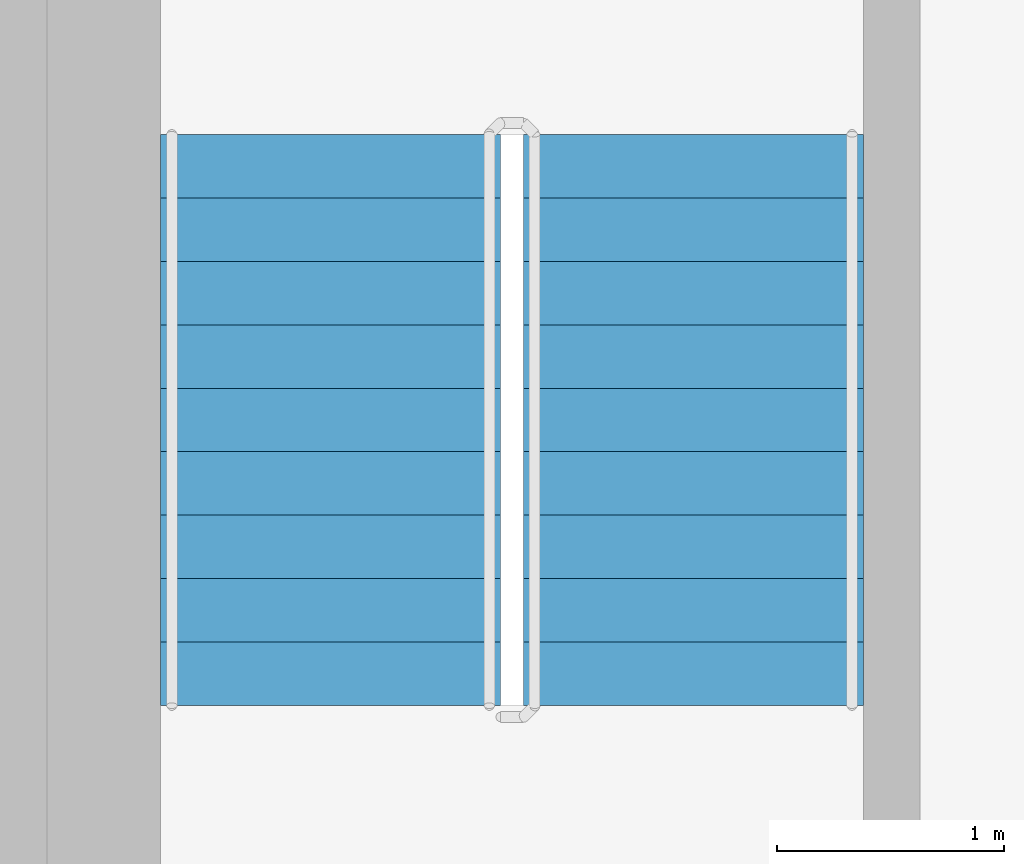
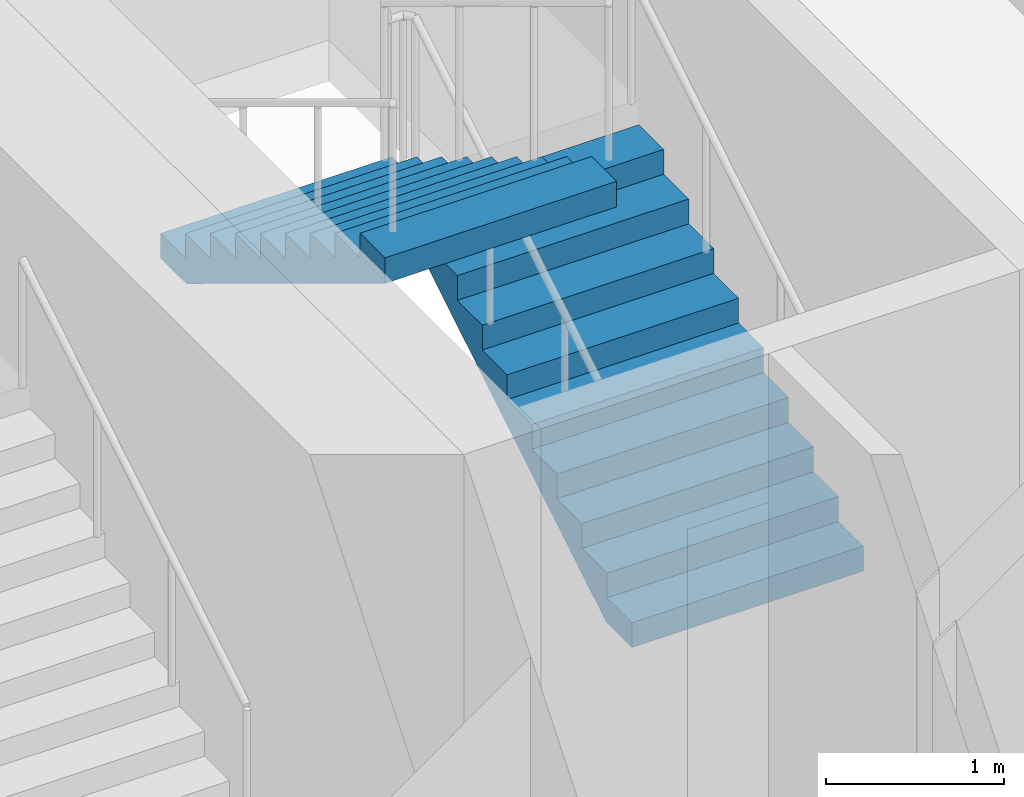
# One storey, part 13 of 21: 2 stair flights, 1 element without a shape of its own.
"""IFC4 building model written with IfcOpenShell, lengths in metres."""

from ifc_helpers import new_model, si_unit, direction, frame, origin, place, context, subcontext, project, spatial, triangles, source, transform, mapped, material, type_object, element, aggregate, save


model = new_model("IFC4")

# Units and contexts
model_context = context("Model", 3, precision=1e-05, world=origin(), true_north=direction((0.0, 1.0)))
body_context = subcontext(model_context, "Body", "Model", "MODEL_VIEW")
ifc_project = project(units=[si_unit("LENGTHUNIT", "METRE"), si_unit("AREAUNIT", "SQUARE_METRE"), si_unit("VOLUMEUNIT", "CUBIC_METRE"), si_unit("PLANEANGLEUNIT", "RADIAN"), si_unit("MASSUNIT", "GRAM", prefix="KILO")], contexts=[model_context])

# Site, building, storey
site_placement = place(None, origin())
site = spatial("IfcSite", under=ifc_project, at=site_placement, CompositionType="ELEMENT")
building_placement = place(site_placement, origin())
building = spatial("IfcBuilding", under=site, at=building_placement, Name="Kilnfold Tower and Market Hall", CompositionType="ELEMENT")
storey_placement = place(building_placement, frame((0.0, 0.0, 182.10009765625)))
storey = spatial("IfcBuildingStorey", under=building, at=storey_placement, Name="L43", CompositionType="ELEMENT", Elevation=182.10009765625)

# Stair, stair flights
ifc_material_1 = material(Name="Concrete C40/50", Category="concrete")
stair_type = type_object("IfcStairType", Name="CORE STAIR 1500", PredefinedType="HALF_TURN_STAIR", material=ifc_material_1)
stair_placement = place(storey_placement, origin())
stair = element("IfcStair", 1, at=stair_placement, inside=storey, type_object=stair_type, Name="L43 ST5", PredefinedType="HALF_TURN_STAIR")
ifc_material_2 = material(Name="Concrete C40/50", Category="concrete")
stair_flight_type = type_object("IfcStairFlightType", Name="CORE STAIR FLIGHT 1500", PredefinedType="STRAIGHT", material=ifc_material_2)
shared_shape = source(origin(), body_context, "Body", "Tessellation", [
    triangles([(0.0, 0.75, 0.0), (0.0, 0.65625, 0.0), (0.0, 0.5625, 0.0), (0.0, 0.46875, 0.0), (0.0, 0.375, 0.0), (0.0, 0.28125, 0.0), (0.0, 0.1875, 0.0), (0.0, 0.09375, 0.0), (0.0, 0.0, 0.0), (0.0, -0.09375, 0.0), (0.0, -0.1875, 0.0), (0.0, -0.28125, 0.0), (0.0, -0.375, 0.0), (0.0, -0.46875, 0.0), (0.0, -0.5625, 0.0), (0.0, -0.65625, 0.0), (0.0, -0.75, 0.0), (0.0, 0.75, 0.169921875), (0.0, 0.65625, 0.169921875), (0.0, 0.5625, 0.169921875), (0.0, 0.46875, 0.169921875), (0.0, 0.375, 0.169921875), (0.0, 0.28125, 0.169921875), (0.0, 0.1875, 0.169921875), (0.0, 0.09375, 0.169921875), (0.0, 0.0, 0.169921875), (0.0, -0.09375, 0.169921875), (0.0, -0.1875, 0.169921875), (0.0, -0.28125, 0.169921875), (0.0, -0.375, 0.169921875), (0.0, -0.46875, 0.169921875), (0.0, -0.5625, 0.169921875), (0.0, -0.65625, 0.169921875), (0.0, -0.75, 0.169921875), (0.280029296875, 0.75, 0.169921875), (0.280029296875, 0.65625, 0.169921875), (0.280029296875, 0.5625, 0.169921875), (0.280029296875, 0.46875, 0.169921875), (0.280029296875, 0.375, 0.169921875), (0.280029296875, 0.28125, 0.169921875), (0.280029296875, 0.1875, 0.169921875), (0.280029296875, 0.09375, 0.169921875), (0.280029296875, 0.0, 0.169921875), (0.280029296875, -0.09375, 0.169921875), (0.280029296875, -0.1875, 0.169921875), (0.280029296875, -0.28125, 0.169921875), (0.280029296875, -0.375, 0.169921875), (0.280029296875, -0.46875, 0.169921875), (0.280029296875, -0.5625, 0.169921875), (0.280029296875, -0.65625, 0.169921875), (0.280029296875, -0.75, 0.169921875), (0.280029296875, 0.75, 0.340087890625), (0.280029296875, 0.65625, 0.340087890625), (0.280029296875, 0.5625, 0.340087890625), (0.280029296875, 0.46875, 0.340087890625), (0.280029296875, 0.375, 0.340087890625), (0.280029296875, 0.28125, 0.340087890625), (0.280029296875, 0.1875, 0.340087890625), (0.280029296875, 0.09375, 0.340087890625), (0.280029296875, 0.0, 0.340087890625), (0.280029296875, -0.09375, 0.340087890625), (0.280029296875, -0.1875, 0.340087890625), (0.280029296875, -0.28125, 0.340087890625), (0.280029296875, -0.375, 0.340087890625), (0.280029296875, -0.46875, 0.340087890625), (0.280029296875, -0.5625, 0.340087890625), (0.280029296875, -0.65625, 0.340087890625), (0.280029296875, -0.75, 0.340087890625), (0.56005859375, 0.75, 0.340087890625), (0.56005859375, 0.65625, 0.340087890625), (0.56005859375, 0.5625, 0.340087890625), (0.56005859375, 0.46875, 0.340087890625), (0.56005859375, 0.375, 0.340087890625), (0.56005859375, 0.28125, 0.340087890625), (0.56005859375, 0.1875, 0.340087890625), (0.56005859375, 0.09375, 0.340087890625), (0.56005859375, 0.0, 0.340087890625), (0.56005859375, -0.09375, 0.340087890625), (0.56005859375, -0.1875, 0.340087890625), (0.56005859375, -0.28125, 0.340087890625), (0.56005859375, -0.375, 0.340087890625), (0.56005859375, -0.46875, 0.340087890625), (0.56005859375, -0.5625, 0.340087890625), (0.56005859375, -0.65625, 0.340087890625), (0.56005859375, -0.75, 0.340087890625), (0.56005859375, 0.75, 0.510009765625), (0.56005859375, 0.65625, 0.510009765625), (0.56005859375, 0.5625, 0.510009765625), (0.56005859375, 0.46875, 0.510009765625), (0.56005859375, 0.375, 0.510009765625), (0.56005859375, 0.28125, 0.510009765625), (0.56005859375, 0.1875, 0.510009765625), (0.56005859375, 0.09375, 0.510009765625), (0.56005859375, 0.0, 0.510009765625), (0.56005859375, -0.09375, 0.510009765625), (0.56005859375, -0.1875, 0.510009765625), (0.56005859375, -0.28125, 0.510009765625), (0.56005859375, -0.375, 0.510009765625), (0.56005859375, -0.46875, 0.510009765625), (0.56005859375, -0.5625, 0.510009765625), (0.56005859375, -0.65625, 0.510009765625), (0.56005859375, -0.75, 0.510009765625), (0.840087890625, 0.75, 0.510009765625), (0.840087890625, 0.65625, 0.510009765625), (0.840087890625, 0.5625, 0.510009765625), (0.840087890625, 0.46875, 0.510009765625), (0.840087890625, 0.375, 0.510009765625), (0.840087890625, 0.28125, 0.510009765625), (0.840087890625, 0.1875, 0.510009765625), (0.840087890625, 0.09375, 0.510009765625), (0.840087890625, 0.0, 0.510009765625), (0.840087890625, -0.09375, 0.510009765625), (0.840087890625, -0.1875, 0.510009765625), (0.840087890625, -0.28125, 0.510009765625), (0.840087890625, -0.375, 0.510009765625), (0.840087890625, -0.46875, 0.510009765625), (0.840087890625, -0.5625, 0.510009765625), (0.840087890625, -0.65625, 0.510009765625), (0.840087890625, -0.75, 0.510009765625), (0.840087890625, 0.75, 0.679931640625), (0.840087890625, 0.65625, 0.679931640625), (0.840087890625, 0.5625, 0.679931640625), (0.840087890625, 0.46875, 0.679931640625), (0.840087890625, 0.375, 0.679931640625), (0.840087890625, 0.28125, 0.679931640625), (0.840087890625, 0.1875, 0.679931640625), (0.840087890625, 0.09375, 0.679931640625), (0.840087890625, 0.0, 0.679931640625), (0.840087890625, -0.09375, 0.679931640625), (0.840087890625, -0.1875, 0.679931640625), (0.840087890625, -0.28125, 0.679931640625), (0.840087890625, -0.375, 0.679931640625), (0.840087890625, -0.46875, 0.679931640625), (0.840087890625, -0.5625, 0.679931640625), (0.840087890625, -0.65625, 0.679931640625), (0.840087890625, -0.75, 0.679931640625), (1.1201171875, 0.75, 0.679931640625), (1.1201171875, 0.65625, 0.679931640625), (1.1201171875, 0.5625, 0.679931640625), (1.1201171875, 0.46875, 0.679931640625), (1.1201171875, 0.375, 0.679931640625), (1.1201171875, 0.28125, 0.679931640625), (1.1201171875, 0.1875, 0.679931640625), (1.1201171875, 0.09375, 0.679931640625), (1.1201171875, 0.0, 0.679931640625), (1.1201171875, -0.09375, 0.679931640625), (1.1201171875, -0.1875, 0.679931640625), (1.1201171875, -0.28125, 0.679931640625), (1.1201171875, -0.375, 0.679931640625), (1.1201171875, -0.46875, 0.679931640625), (1.1201171875, -0.5625, 0.679931640625), (1.1201171875, -0.65625, 0.679931640625), (1.1201171875, -0.75, 0.679931640625), (1.1201171875, 0.75, 0.85009765625), (1.1201171875, 0.65625, 0.85009765625), (1.1201171875, 0.5625, 0.85009765625), (1.1201171875, 0.46875, 0.85009765625), (1.1201171875, 0.375, 0.85009765625), (1.1201171875, 0.28125, 0.85009765625), (1.1201171875, 0.1875, 0.85009765625), (1.1201171875, 0.09375, 0.85009765625), (1.1201171875, 0.0, 0.85009765625), (1.1201171875, -0.09375, 0.85009765625), (1.1201171875, -0.1875, 0.85009765625), (1.1201171875, -0.28125, 0.85009765625), (1.1201171875, -0.375, 0.85009765625), (1.1201171875, -0.46875, 0.85009765625), (1.1201171875, -0.5625, 0.85009765625), (1.1201171875, -0.65625, 0.85009765625), (1.1201171875, -0.75, 0.85009765625), (1.39990234375, 0.75, 0.85009765625), (1.39990234375, 0.65625, 0.85009765625), (1.39990234375, 0.5625, 0.85009765625), (1.39990234375, 0.46875, 0.85009765625), (1.39990234375, 0.375, 0.85009765625), (1.39990234375, 0.28125, 0.85009765625), (1.39990234375, 0.1875, 0.85009765625), (1.39990234375, 0.09375, 0.85009765625), (1.39990234375, 0.0, 0.85009765625), (1.39990234375, -0.09375, 0.85009765625), (1.39990234375, -0.1875, 0.85009765625), (1.39990234375, -0.28125, 0.85009765625), (1.39990234375, -0.375, 0.85009765625), (1.39990234375, -0.46875, 0.85009765625), (1.39990234375, -0.5625, 0.85009765625), (1.39990234375, -0.65625, 0.85009765625), (1.39990234375, -0.75, 0.85009765625), (1.39990234375, 0.75, 1.02001953125), (1.39990234375, 0.65625, 1.02001953125), (1.39990234375, 0.5625, 1.02001953125), (1.39990234375, 0.46875, 1.02001953125), (1.39990234375, 0.375, 1.02001953125), (1.39990234375, 0.28125, 1.02001953125), (1.39990234375, 0.1875, 1.02001953125), (1.39990234375, 0.09375, 1.02001953125), (1.39990234375, 0.0, 1.02001953125), (1.39990234375, -0.09375, 1.02001953125), (1.39990234375, -0.1875, 1.02001953125), (1.39990234375, -0.28125, 1.02001953125), (1.39990234375, -0.375, 1.02001953125), (1.39990234375, -0.46875, 1.02001953125), (1.39990234375, -0.5625, 1.02001953125), (1.39990234375, -0.65625, 1.02001953125), (1.39990234375, -0.75, 1.02001953125), (1.679931640625, 0.75, 1.02001953125), (1.679931640625, 0.65625, 1.02001953125), (1.679931640625, 0.5625, 1.02001953125), (1.679931640625, 0.46875, 1.02001953125), (1.679931640625, 0.375, 1.02001953125), (1.679931640625, 0.28125, 1.02001953125), (1.679931640625, 0.1875, 1.02001953125), (1.679931640625, 0.09375, 1.02001953125), (1.679931640625, 0.0, 1.02001953125), (1.679931640625, -0.09375, 1.02001953125), (1.679931640625, -0.1875, 1.02001953125), (1.679931640625, -0.28125, 1.02001953125), (1.679931640625, -0.375, 1.02001953125), (1.679931640625, -0.46875, 1.02001953125), (1.679931640625, -0.5625, 1.02001953125), (1.679931640625, -0.65625, 1.02001953125), (1.679931640625, -0.75, 1.02001953125), (1.679931640625, 0.75, 1.18994140625), (1.679931640625, 0.65625, 1.18994140625), (1.679931640625, 0.5625, 1.18994140625), (1.679931640625, 0.46875, 1.18994140625), (1.679931640625, 0.375, 1.18994140625), (1.679931640625, 0.28125, 1.18994140625), (1.679931640625, 0.1875, 1.18994140625), (1.679931640625, 0.09375, 1.18994140625), (1.679931640625, 0.0, 1.18994140625), (1.679931640625, -0.09375, 1.18994140625), (1.679931640625, -0.1875, 1.18994140625), (1.679931640625, -0.28125, 1.18994140625), (1.679931640625, -0.375, 1.18994140625), (1.679931640625, -0.46875, 1.18994140625), (1.679931640625, -0.5625, 1.18994140625), (1.679931640625, -0.65625, 1.18994140625), (1.679931640625, -0.75, 1.18994140625), (1.9599609375, 0.75, 1.18994140625), (1.9599609375, 0.65625, 1.18994140625), (1.9599609375, 0.5625, 1.18994140625), (1.9599609375, 0.46875, 1.18994140625), (1.9599609375, 0.375, 1.18994140625), (1.9599609375, 0.28125, 1.18994140625), (1.9599609375, 0.1875, 1.18994140625), (1.9599609375, 0.09375, 1.18994140625), (1.9599609375, 0.0, 1.18994140625), (1.9599609375, -0.09375, 1.18994140625), (1.9599609375, -0.1875, 1.18994140625), (1.9599609375, -0.28125, 1.18994140625), (1.9599609375, -0.375, 1.18994140625), (1.9599609375, -0.46875, 1.18994140625), (1.9599609375, -0.5625, 1.18994140625), (1.9599609375, -0.65625, 1.18994140625), (1.9599609375, -0.75, 1.18994140625), (1.9599609375, 0.75, 1.360107421875), (1.9599609375, 0.65625, 1.360107421875), (1.9599609375, 0.5625, 1.360107421875), (1.9599609375, 0.46875, 1.360107421875), (1.9599609375, 0.375, 1.360107421875), (1.9599609375, 0.28125, 1.360107421875), (1.9599609375, 0.1875, 1.360107421875), (1.9599609375, 0.09375, 1.360107421875), (1.9599609375, 0.0, 1.360107421875), (1.9599609375, -0.09375, 1.360107421875), (1.9599609375, -0.1875, 1.360107421875), (1.9599609375, -0.28125, 1.360107421875), (1.9599609375, -0.375, 1.360107421875), (1.9599609375, -0.46875, 1.360107421875), (1.9599609375, -0.5625, 1.360107421875), (1.9599609375, -0.65625, 1.360107421875), (1.9599609375, -0.75, 1.360107421875), (2.239990234375, 0.75, 1.360107421875), (2.239990234375, 0.65625, 1.360107421875), (2.239990234375, 0.5625, 1.360107421875), (2.239990234375, 0.46875, 1.360107421875), (2.239990234375, 0.375, 1.360107421875), (2.239990234375, 0.28125, 1.360107421875), (2.239990234375, 0.1875, 1.360107421875), (2.239990234375, 0.09375, 1.360107421875), (2.239990234375, 0.0, 1.360107421875), (2.239990234375, -0.09375, 1.360107421875), (2.239990234375, -0.1875, 1.360107421875), (2.239990234375, -0.28125, 1.360107421875), (2.239990234375, -0.375, 1.360107421875), (2.239990234375, -0.46875, 1.360107421875), (2.239990234375, -0.5625, 1.360107421875), (2.239990234375, -0.65625, 1.360107421875), (2.239990234375, -0.75, 1.360107421875), (2.239990234375, 0.75, 1.530029296875), (2.239990234375, 0.65625, 1.530029296875), (2.239990234375, 0.5625, 1.530029296875), (2.239990234375, 0.46875, 1.530029296875), (2.239990234375, 0.375, 1.530029296875), (2.239990234375, 0.28125, 1.530029296875), (2.239990234375, 0.1875, 1.530029296875), (2.239990234375, 0.09375, 1.530029296875), (2.239990234375, 0.0, 1.530029296875), (2.239990234375, -0.09375, 1.530029296875), (2.239990234375, -0.1875, 1.530029296875), (2.239990234375, -0.28125, 1.530029296875), (2.239990234375, -0.375, 1.530029296875), (2.239990234375, -0.46875, 1.530029296875), (2.239990234375, -0.5625, 1.530029296875), (2.239990234375, -0.65625, 1.530029296875), (2.239990234375, -0.75, 1.530029296875), (2.52001953125, 0.75, 1.530029296875), (2.52001953125, 0.65625, 1.530029296875), (2.52001953125, 0.5625, 1.530029296875), (2.52001953125, 0.46875, 1.530029296875), (2.52001953125, 0.375, 1.530029296875), (2.52001953125, 0.28125, 1.530029296875), (2.52001953125, 0.1875, 1.530029296875), (2.52001953125, 0.09375, 1.530029296875), (2.52001953125, 0.0, 1.530029296875), (2.52001953125, -0.09375, 1.530029296875), (2.52001953125, -0.1875, 1.530029296875), (2.52001953125, -0.28125, 1.530029296875), (2.52001953125, -0.375, 1.530029296875), (2.52001953125, -0.46875, 1.530029296875), (2.52001953125, -0.5625, 1.530029296875), (2.52001953125, -0.65625, 1.530029296875), (2.52001953125, -0.75, 1.530029296875), (2.52001953125, 0.75, 1.354736328125), (2.52001953125, 0.65625, 1.354736328125), (2.52001953125, 0.5625, 1.354736328125), (2.52001953125, 0.46875, 1.354736328125), (2.52001953125, 0.375, 1.354736328125), (2.52001953125, 0.28125, 1.354736328125), (2.52001953125, 0.1875, 1.354736328125), (2.52001953125, 0.09375, 1.354736328125), (2.52001953125, 0.0, 1.354736328125), (2.52001953125, -0.09375, 1.354736328125), (2.52001953125, -0.1875, 1.354736328125), (2.52001953125, -0.28125, 1.354736328125), (2.52001953125, -0.375, 1.354736328125), (2.52001953125, -0.46875, 1.354736328125), (2.52001953125, -0.5625, 1.354736328125), (2.52001953125, -0.65625, 1.354736328125), (2.52001953125, -0.75, 1.354736328125), (0.288818359375, 0.75, 0.0), (0.288818359375, 0.65625, 0.0), (0.288818359375, 0.5625, 0.0), (0.288818359375, 0.46875, 0.0), (0.288818359375, 0.375, 0.0), (0.288818359375, 0.28125, 0.0), (0.288818359375, 0.1875, 0.0), (0.288818359375, 0.09375, 0.0), (0.288818359375, 0.0, 0.0), (0.288818359375, -0.09375, 0.0), (0.288818359375, -0.1875, 0.0), (0.288818359375, -0.28125, 0.0), (0.288818359375, -0.375, 0.0), (0.288818359375, -0.46875, 0.0), (0.288818359375, -0.5625, 0.0), (0.288818359375, -0.65625, 0.0), (0.288818359375, -0.75, 0.0)], [[1, 324, 341], [17, 357, 340], [324, 290, 307], [340, 323, 306], [324, 273, 290], [340, 306, 289], [324, 256, 273], [340, 289, 272], [324, 239, 256], [340, 272, 255], [239, 205, 222], [255, 238, 221], [324, 205, 239], [340, 255, 221], [205, 171, 188], [221, 204, 187], [324, 171, 205], [340, 221, 187], [171, 137, 154], [187, 170, 153], [324, 137, 171], [340, 187, 153], [137, 103, 120], [153, 136, 119], [324, 103, 137], [340, 153, 119], [103, 69, 86], [119, 102, 85], [324, 69, 103], [340, 119, 85], [69, 35, 52], [85, 68, 51], [324, 35, 69], [340, 85, 51], [1, 35, 324], [17, 340, 51], [35, 1, 18], [51, 34, 17], [1, 19, 18], [1, 2, 19], [2, 20, 19], [2, 3, 20], [3, 21, 20], [3, 4, 21], [4, 22, 21], [4, 5, 22], [5, 23, 22], [5, 6, 23], [6, 24, 23], [6, 7, 24], [7, 25, 24], [7, 8, 25], [8, 26, 25], [8, 9, 26], [9, 27, 26], [9, 10, 27], [10, 28, 27], [10, 11, 28], [11, 29, 28], [11, 12, 29], [12, 30, 29], [12, 13, 30], [13, 31, 30], [13, 14, 31], [14, 32, 31], [14, 15, 32], [15, 33, 32], [15, 16, 33], [16, 34, 33], [16, 17, 34], [18, 36, 35], [18, 19, 36], [19, 37, 36], [19, 20, 37], [20, 38, 37], [20, 21, 38], [21, 39, 38], [21, 22, 39], [22, 40, 39], [22, 23, 40], [23, 41, 40], [23, 24, 41], [24, 42, 41], [24, 25, 42], [25, 43, 42], [25, 26, 43], [26, 44, 43], [26, 27, 44], [27, 45, 44], [27, 28, 45], [28, 46, 45], [28, 29, 46], [29, 47, 46], [29, 30, 47], [30, 48, 47], [30, 31, 48], [31, 49, 48], [31, 32, 49], [32, 50, 49], [32, 33, 50], [33, 51, 50], [33, 34, 51], [35, 53, 52], [35, 36, 53], [36, 54, 53], [36, 37, 54], [37, 55, 54], [37, 38, 55], [38, 56, 55], [38, 39, 56], [39, 57, 56], [39, 40, 57], [40, 58, 57], [40, 41, 58], [41, 59, 58], [41, 42, 59], [42, 60, 59], [42, 43, 60], [43, 61, 60], [43, 44, 61], [44, 62, 61], [44, 45, 62], [45, 63, 62], [45, 46, 63], [46, 64, 63], [46, 47, 64], [47, 65, 64], [47, 48, 65], [48, 66, 65], [48, 49, 66], [49, 67, 66], [49, 50, 67], [50, 68, 67], [50, 51, 68], [52, 70, 69], [52, 53, 70], [53, 71, 70], [53, 54, 71], [54, 72, 71], [54, 55, 72], [55, 73, 72], [55, 56, 73], [56, 74, 73], [56, 57, 74], [57, 75, 74], [57, 58, 75], [58, 76, 75], [58, 59, 76], [59, 77, 76], [59, 60, 77], [60, 78, 77], [60, 61, 78], [61, 79, 78], [61, 62, 79], [62, 80, 79], [62, 63, 80], [63, 81, 80], [63, 64, 81], [64, 82, 81], [64, 65, 82], [65, 83, 82], [65, 66, 83], [66, 84, 83], [66, 67, 84], [67, 85, 84], [67, 68, 85], [69, 87, 86], [69, 70, 87], [70, 88, 87], [70, 71, 88], [71, 89, 88], [71, 72, 89], [72, 90, 89], [72, 73, 90], [73, 91, 90], [73, 74, 91], [74, 92, 91], [74, 75, 92], [75, 93, 92], [75, 76, 93], [76, 94, 93], [76, 77, 94], [77, 95, 94], [77, 78, 95], [78, 96, 95], [78, 79, 96], [79, 97, 96], [79, 80, 97], [80, 98, 97], [80, 81, 98], [81, 99, 98], [81, 82, 99], [82, 100, 99], [82, 83, 100], [83, 101, 100], [83, 84, 101], [84, 102, 101], [84, 85, 102], [86, 104, 103], [86, 87, 104], [87, 105, 104], [87, 88, 105], [88, 106, 105], [88, 89, 106], [89, 107, 106], [89, 90, 107], [90, 108, 107], [90, 91, 108], [91, 109, 108], [91, 92, 109], [92, 110, 109], [92, 93, 110], [93, 111, 110], [93, 94, 111], [94, 112, 111], [94, 95, 112], [95, 113, 112], [95, 96, 113], [96, 114, 113], [96, 97, 114], [97, 115, 114], [97, 98, 115], [98, 116, 115], [98, 99, 116], [99, 117, 116], [99, 100, 117], [100, 118, 117], [100, 101, 118], [101, 119, 118], [101, 102, 119], [103, 121, 120], [103, 104, 121], [104, 122, 121], [104, 105, 122], [105, 123, 122], [105, 106, 123], [106, 124, 123], [106, 107, 124], [107, 125, 124], [107, 108, 125], [108, 126, 125], [108, 109, 126], [109, 127, 126], [109, 110, 127], [110, 128, 127], [110, 111, 128], [111, 129, 128], [111, 112, 129], [112, 130, 129], [112, 113, 130], [113, 131, 130], [113, 114, 131], [114, 132, 131], [114, 115, 132], [115, 133, 132], [115, 116, 133], [116, 134, 133], [116, 117, 134], [117, 135, 134], [117, 118, 135], [118, 136, 135], [118, 119, 136], [120, 138, 137], [120, 121, 138], [121, 139, 138], [121, 122, 139], [122, 140, 139], [122, 123, 140], [123, 141, 140], [123, 124, 141], [124, 142, 141], [124, 125, 142], [125, 143, 142], [125, 126, 143], [126, 144, 143], [126, 127, 144], [127, 145, 144], [127, 128, 145], [128, 146, 145], [128, 129, 146], [129, 147, 146], [129, 130, 147], [130, 148, 147], [130, 131, 148], [131, 149, 148], [131, 132, 149], [132, 150, 149], [132, 133, 150], [133, 151, 150], [133, 134, 151], [134, 152, 151], [134, 135, 152], [135, 153, 152], [135, 136, 153], [137, 155, 154], [137, 138, 155], [138, 156, 155], [138, 139, 156], [139, 157, 156], [139, 140, 157], [140, 158, 157], [140, 141, 158], [141, 159, 158], [141, 142, 159], [142, 160, 159], [142, 143, 160], [143, 161, 160], [143, 144, 161], [144, 162, 161], [144, 145, 162], [145, 163, 162], [145, 146, 163], [146, 164, 163], [146, 147, 164], [147, 165, 164], [147, 148, 165], [148, 166, 165], [148, 149, 166], [149, 167, 166], [149, 150, 167], [150, 168, 167], [150, 151, 168], [151, 169, 168], [151, 152, 169], [152, 170, 169], [152, 153, 170], [154, 172, 171], [154, 155, 172], [155, 173, 172], [155, 156, 173], [156, 174, 173], [156, 157, 174], [157, 175, 174], [157, 158, 175], [158, 176, 175], [158, 159, 176], [159, 177, 176], [159, 160, 177], [160, 178, 177], [160, 161, 178], [161, 179, 178], [161, 162, 179], [162, 180, 179], [162, 163, 180], [163, 181, 180], [163, 164, 181], [164, 182, 181], [164, 165, 182], [165, 183, 182], [165, 166, 183], [166, 184, 183], [166, 167, 184], [167, 185, 184], [167, 168, 185], [168, 186, 185], [168, 169, 186], [169, 187, 186], [169, 170, 187], [171, 189, 188], [171, 172, 189], [172, 190, 189], [172, 173, 190], [173, 191, 190], [173, 174, 191], [174, 192, 191], [174, 175, 192], [175, 193, 192], [175, 176, 193], [176, 194, 193], [176, 177, 194], [177, 195, 194], [177, 178, 195], [178, 196, 195], [178, 179, 196], [179, 197, 196], [179, 180, 197], [180, 198, 197], [180, 181, 198], [181, 199, 198], [181, 182, 199], [182, 200, 199], [182, 183, 200], [183, 201, 200], [183, 184, 201], [184, 202, 201], [184, 185, 202], [185, 203, 202], [185, 186, 203], [186, 204, 203], [186, 187, 204], [188, 206, 205], [188, 189, 206], [189, 207, 206], [189, 190, 207], [190, 208, 207], [190, 191, 208], [191, 209, 208], [191, 192, 209], [192, 210, 209], [192, 193, 210], [193, 211, 210], [193, 194, 211], [194, 212, 211], [194, 195, 212], [195, 213, 212], [195, 196, 213], [196, 214, 213], [196, 197, 214], [197, 215, 214], [197, 198, 215], [198, 216, 215], [198, 199, 216], [199, 217, 216], [199, 200, 217], [200, 218, 217], [200, 201, 218], [201, 219, 218], [201, 202, 219], [202, 220, 219], [202, 203, 220], [203, 221, 220], [203, 204, 221], [205, 223, 222], [205, 206, 223], [206, 224, 223], [206, 207, 224], [207, 225, 224], [207, 208, 225], [208, 226, 225], [208, 209, 226], [209, 227, 226], [209, 210, 227], [210, 228, 227], [210, 211, 228], [211, 229, 228], [211, 212, 229], [212, 230, 229], [212, 213, 230], [213, 231, 230], [213, 214, 231], [214, 232, 231], [214, 215, 232], [215, 233, 232], [215, 216, 233], [216, 234, 233], [216, 217, 234], [217, 235, 234], [217, 218, 235], [218, 236, 235], [218, 219, 236], [219, 237, 236], [219, 220, 237], [220, 238, 237], [220, 221, 238], [222, 240, 239], [222, 223, 240], [223, 241, 240], [223, 224, 241], [224, 242, 241], [224, 225, 242], [225, 243, 242], [225, 226, 243], [226, 244, 243], [226, 227, 244], [227, 245, 244], [227, 228, 245], [228, 246, 245], [228, 229, 246], [229, 247, 246], [229, 230, 247], [230, 248, 247], [230, 231, 248], [231, 249, 248], [231, 232, 249], [232, 250, 249], [232, 233, 250], [233, 251, 250], [233, 234, 251], [234, 252, 251], [234, 235, 252], [235, 253, 252], [235, 236, 253], [236, 254, 253], [236, 237, 254], [237, 255, 254], [237, 238, 255], [239, 257, 256], [239, 240, 257], [240, 258, 257], [240, 241, 258], [241, 259, 258], [241, 242, 259], [242, 260, 259], [242, 243, 260], [243, 261, 260], [243, 244, 261], [244, 262, 261], [244, 245, 262], [245, 263, 262], [245, 246, 263], [246, 264, 263], [246, 247, 264], [247, 265, 264], [247, 248, 265], [248, 266, 265], [248, 249, 266], [249, 267, 266], [249, 250, 267], [250, 268, 267], [250, 251, 268], [251, 269, 268], [251, 252, 269], [252, 270, 269], [252, 253, 270], [253, 271, 270], [253, 254, 271], [254, 272, 271], [254, 255, 272], [256, 274, 273], [256, 257, 274], [257, 275, 274], [257, 258, 275], [258, 276, 275], [258, 259, 276], [259, 277, 276], [259, 260, 277], [260, 278, 277], [260, 261, 278], [261, 279, 278], [261, 262, 279], [262, 280, 279], [262, 263, 280], [263, 281, 280], [263, 264, 281], [264, 282, 281], [264, 265, 282], [265, 283, 282], [265, 266, 283], [266, 284, 283], [266, 267, 284], [267, 285, 284], [267, 268, 285], [268, 286, 285], [268, 269, 286], [269, 287, 286], [269, 270, 287], [270, 288, 287], [270, 271, 288], [271, 289, 288], [271, 272, 289], [273, 291, 290], [273, 274, 291], [274, 292, 291], [274, 275, 292], [275, 293, 292], [275, 276, 293], [276, 294, 293], [276, 277, 294], [277, 295, 294], [277, 278, 295], [278, 296, 295], [278, 279, 296], [279, 297, 296], [279, 280, 297], [280, 298, 297], [280, 281, 298], [281, 299, 298], [281, 282, 299], [282, 300, 299], [282, 283, 300], [283, 301, 300], [283, 284, 301], [284, 302, 301], [284, 285, 302], [285, 303, 302], [285, 286, 303], [286, 304, 303], [286, 287, 304], [287, 305, 304], [287, 288, 305], [288, 306, 305], [288, 289, 306], [290, 308, 307], [290, 291, 308], [291, 309, 308], [291, 292, 309], [292, 310, 309], [292, 293, 310], [293, 311, 310], [293, 294, 311], [294, 312, 311], [294, 295, 312], [295, 313, 312], [295, 296, 313], [296, 314, 313], [296, 297, 314], [297, 315, 314], [297, 298, 315], [298, 316, 315], [298, 299, 316], [299, 317, 316], [299, 300, 317], [300, 318, 317], [300, 301, 318], [301, 319, 318], [301, 302, 319], [302, 320, 319], [302, 303, 320], [303, 321, 320], [303, 304, 321], [304, 322, 321], [304, 305, 322], [305, 323, 322], [305, 306, 323], [307, 325, 324], [307, 308, 325], [308, 326, 325], [308, 309, 326], [309, 327, 326], [309, 310, 327], [310, 328, 327], [310, 311, 328], [311, 329, 328], [311, 312, 329], [312, 330, 329], [312, 313, 330], [313, 331, 330], [313, 314, 331], [314, 332, 331], [314, 315, 332], [315, 333, 332], [315, 316, 333], [316, 334, 333], [316, 317, 334], [317, 335, 334], [317, 318, 335], [318, 336, 335], [318, 319, 336], [319, 337, 336], [319, 320, 337], [320, 338, 337], [320, 321, 338], [321, 339, 338], [321, 322, 339], [322, 340, 339], [322, 323, 340], [324, 342, 341], [324, 325, 342], [325, 343, 342], [325, 326, 343], [326, 344, 343], [326, 327, 344], [327, 345, 344], [327, 328, 345], [328, 346, 345], [328, 329, 346], [329, 347, 346], [329, 330, 347], [330, 348, 347], [330, 331, 348], [331, 349, 348], [331, 332, 349], [332, 350, 349], [332, 333, 350], [333, 351, 350], [333, 334, 351], [334, 352, 351], [334, 335, 352], [335, 353, 352], [335, 336, 353], [336, 354, 353], [336, 337, 354], [337, 355, 354], [337, 338, 355], [338, 356, 355], [338, 339, 356], [339, 357, 356], [339, 340, 357], [341, 2, 1], [341, 342, 2], [342, 3, 2], [342, 343, 3], [343, 4, 3], [343, 344, 4], [344, 5, 4], [344, 345, 5], [345, 6, 5], [345, 346, 6], [346, 7, 6], [346, 347, 7], [347, 8, 7], [347, 348, 8], [348, 9, 8], [348, 349, 9], [349, 10, 9], [349, 350, 10], [350, 11, 10], [350, 351, 11], [351, 12, 11], [351, 352, 12], [352, 13, 12], [352, 353, 13], [353, 14, 13], [353, 354, 14], [354, 15, 14], [354, 355, 15], [355, 16, 15], [355, 356, 16], [356, 17, 16], [356, 357, 17]], closed=True),
])
stair_flight_1_placement = place(storey_placement, frame((20.699951171875, 11.5, 0.0), z_axis=(0.0, 0.0, 1.0), x_axis=(0.0, 1.0, 0.0)))
stair_flight_1 = element("IfcStairFlight", 2, at=stair_flight_1_placement, type_object=stair_flight_type, Name="ST5 flight 1", NumberOfRisers=10, NumberOfTreads=9, PredefinedType="STRAIGHT", RiserHeight=0.17, TreadLength=0.28, context=body_context, shape_type="MappedRepresentation", body=[
    mapped(shared_shape, transform((0.0, 0.0, 0.0))),
])
stair_flight_2_placement = place(storey_placement, frame((19.10009765625, 14.02001953125, 1.699951171875), z_axis=(0.0, 0.0, 1.0), x_axis=(0.0, -1.0, 0.0)))
stair_flight_2 = element("IfcStairFlight", 3, at=stair_flight_2_placement, type_object=stair_flight_type, Name="ST5 flight 2", NumberOfRisers=10, NumberOfTreads=9, PredefinedType="STRAIGHT", RiserHeight=0.17, TreadLength=0.28, context=body_context, shape_type="MappedRepresentation", body=[
    mapped(shared_shape, transform((0.0, 0.0, 0.0))),
])
aggregate(stair, [stair_flight_1, stair_flight_2])

save(model, "model.ifc")
